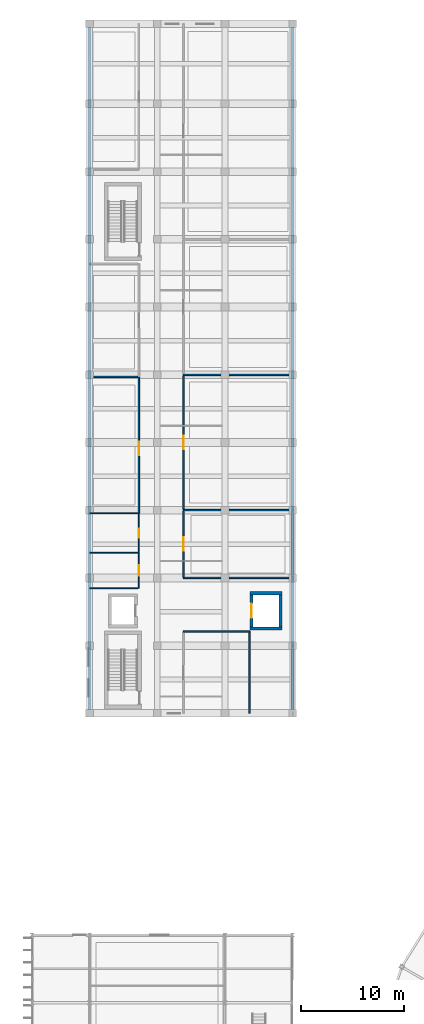
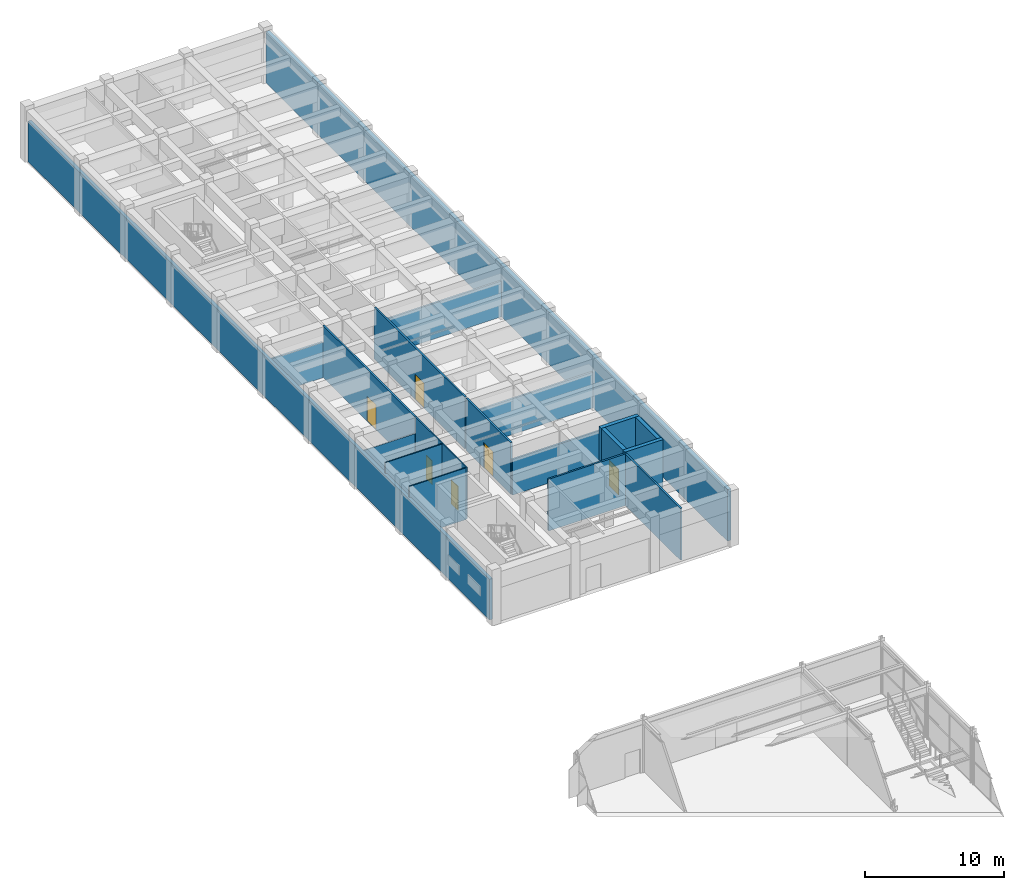
# One storey, part 127 of 144: 20 walls, 6 doors, 6 openings.
"""IFC4 building model written with IfcOpenShell, lengths in metres."""

import ifcopenshell
import ifcopenshell.guid

model = None  # the IFC model being written
_history = None  # IfcOwnerHistory: only IFC2X3 demands one
_inside = {}  # id of a spatial element -> (the spatial element, [elements in it])
_under = {}  # id of a project, library or spatial element -> (it, [spatial elements below it])
_declared = {}  # id of a project -> (the project, [libraries it declares])
_typed = {}  # id of a type object -> (the type object, [elements of that type])
_made_of = {}  # id of a material, layer set ... -> (it, [elements and type objects made of it])


def new_model(schema):
    """Start an empty IFC model of exactly this schema.

    Asked for "IFC4X3", IfcOpenShell would pick the latest addendum, in which some entities
    have other attributes; the version numbers below select the first issue.
    IFC2X3 requires an IfcOwnerHistory on every rooted entity: one is made here for all.
    """
    global model, _history
    if schema == "IFC4X3":
        model = ifcopenshell.file(schema_version=(4, 3, 0, 0))
    else:
        model = ifcopenshell.file(schema=schema)
    _inside.clear()
    _under.clear()
    _declared.clear()
    _typed.clear()
    _made_of.clear()
    _history = None
    if model.schema == "IFC2X3":
        org = make("IfcOrganization", Name="unknown")
        user = make(
            "IfcPersonAndOrganization",
            ThePerson=make("IfcPerson", FamilyName="unknown"),
            TheOrganization=org,
        )
        app = make(
            "IfcApplication",
            ApplicationDeveloper=org,
            Version="unknown",
            ApplicationFullName="unknown",
            ApplicationIdentifier="unknown",
        )
        _history = make(
            "IfcOwnerHistory",
            OwningUser=user,
            OwningApplication=app,
            ChangeAction="ADDED",
            CreationDate=0,
        )
    return model


def make(cls, **values):
    """One entity of the class cls with the attributes given. An attribute that is None is left unset."""
    return model.create_entity(
        cls, **{name: value for name, value in values.items() if value is not None}
    )


def rooted(cls, **values):
    """An entity with a GlobalId (a new one), such as an element, a storey or a relation."""
    return make(cls, GlobalId=ifcopenshell.guid.new(), OwnerHistory=_history, **values)


def si_unit(unit_type, name, prefix=None):
    """IfcSIUnit, for example si_unit("LENGTHUNIT", "METRE", prefix="MILLI")."""
    return make("IfcSIUnit", UnitType=unit_type, Prefix=prefix, Name=name)


def assignment(units):
    """IfcUnitAssignment: the units of a project."""
    return None if units is None else make("IfcUnitAssignment", Units=units)


def point(xyz):
    """IfcCartesianPoint."""
    return None if xyz is None else make("IfcCartesianPoint", Coordinates=xyz)


def direction(xyz):
    """IfcDirection."""
    return None if xyz is None else make("IfcDirection", DirectionRatios=xyz)


def frame(location, z_axis=None, x_axis=None):
    """IfcAxis2Placement3D, a coordinate frame: its origin and axes. An axis left out is left unset."""
    return make(
        "IfcAxis2Placement3D",
        Location=point(location),
        Axis=direction(z_axis),
        RefDirection=direction(x_axis),
    )


def frame_2d(location, x_axis=None):
    """IfcAxis2Placement2D, a coordinate frame in the plane: its origin and x axis."""
    return make(
        "IfcAxis2Placement2D", Location=point(location), RefDirection=direction(x_axis)
    )


def origin():
    """The frame at (0, 0, 0) with its axes left unset."""
    return frame((0.0, 0.0, 0.0))


def place(relative_to, where):
    """IfcLocalPlacement: puts the frame where relative to a parent placement (None: the world)."""
    return make(
        "IfcLocalPlacement", PlacementRelTo=relative_to, RelativePlacement=where
    )


def context(
    kind, dimensions, precision=None, world=None, true_north=None, identifier=None
):
    """IfcGeometricRepresentationContext, for example the 3D "Model" context."""
    return make(
        "IfcGeometricRepresentationContext",
        ContextIdentifier=identifier,
        ContextType=kind,
        CoordinateSpaceDimension=dimensions,
        Precision=precision,
        WorldCoordinateSystem=world,
        TrueNorth=true_north,
    )


def subcontext(parent, identifier, kind, view, scale=None):
    """IfcGeometricRepresentationSubContext, for example "Body" below "Model"."""
    return make(
        "IfcGeometricRepresentationSubContext",
        ContextIdentifier=identifier,
        ContextType=kind,
        ParentContext=parent,
        TargetScale=scale,
        TargetView=view,
    )


def project(units=None, contexts=None):
    """IfcProject with its units and contexts."""
    return rooted(
        "IfcProject",
        Name="project",
        RepresentationContexts=contexts,
        UnitsInContext=assignment(units),
    )


def spatial(cls, under=None, at=None, **own):
    """A site, building, storey or space (cls), placed at a placement, below another one or the project."""
    s = rooted(cls, ObjectPlacement=at, **own)
    if under is not None:
        _under.setdefault(under.id(), (under, []))[1].append(s)
    return s


def profile(cls, at=None, kind="AREA", **sizes):
    """A parametric profile (cls). Its sizes go by their IFC names, for example OverallWidth=200.0."""
    return make(cls, ProfileType=kind, Position=at, **sizes)


def rectangle(**sizes):
    """IfcRectangleProfileDef."""
    return profile("IfcRectangleProfileDef", **sizes)


def extrude(swept, where, along, depth):
    """IfcExtrudedAreaSolid: the profile swept, set in the frame where, extruded along a direction by depth."""
    return make(
        "IfcExtrudedAreaSolid",
        SweptArea=swept,
        Position=where,
        ExtrudedDirection=direction(along),
        Depth=depth,
    )


def shape(context_of_items, identifier, shape_type, items):
    """IfcShapeRepresentation: the items that make up one representation, for example the "Body"."""
    return make(
        "IfcShapeRepresentation",
        ContextOfItems=context_of_items,
        RepresentationIdentifier=identifier,
        RepresentationType=shape_type,
        Items=items,
    )


def material(Name=None, Category=None):
    """IfcMaterial."""
    return make("IfcMaterial", Name=Name, Category=Category)


def layer(
    of_material, thickness, ventilated=None, Name=None, Category=None, Priority=None
):
    """IfcMaterialLayer: one layer of a wall or slab, of a material (None: an air gap)."""
    return make(
        "IfcMaterialLayer",
        Material=of_material,
        LayerThickness=thickness,
        IsVentilated=ventilated,
        Name=Name,
        Category=Category,
        Priority=Priority,
    )


def layer_set(layers, Name=None):
    """IfcMaterialLayerSet."""
    return make("IfcMaterialLayerSet", MaterialLayers=layers, LayerSetName=Name)


def made_of(thing, what):
    """Note that an element or type object is made of a material, layer set ...; save() writes the relation."""
    if what is not None:
        _made_of.setdefault(what.id(), (what, []))[1].append(thing)
    return thing


def type_object(cls, material=None, **own):
    """A type object (cls), such as IfcWallType, which elements share."""
    return made_of(rooted(cls, **own), material)


def element(
    cls,
    number,
    at=None,
    inside=None,
    cuts=None,
    type_object=None,
    material=None,
    context=None,
    identifier="Body",
    shape_type=None,
    held_by="IfcProductDefinitionShape",
    body=None,
    shapes=None,
    **own,
):
    """One element of the class cls, such as IfcWall. Its Tag is "e" and its number.

    at: its placement. inside: the storey or other place that contains it. cuts: it is an
    opening in that element (IfcRelVoidsElement). A single representation is given by context,
    identifier, shape_type and body (its items); several are given by shapes. held_by: the class
    of the entity that holds the representations. save() writes the other relations.
    """
    e = rooted(cls, Tag="e%d" % number, ObjectPlacement=at, **own)
    if body is not None:
        shapes = [shape(context, identifier, shape_type, body)]
    if shapes is not None:
        e.Representation = make(held_by, Representations=shapes)
    if inside is not None:
        _inside.setdefault(inside.id(), (inside, []))[1].append(e)
    if cuts is not None:
        rooted(
            "IfcRelVoidsElement", RelatingBuildingElement=cuts, RelatedOpeningElement=e
        )
    if type_object is not None:
        _typed.setdefault(type_object.id(), (type_object, []))[1].append(e)
    return made_of(e, material)


def fill(opening, filler):
    """IfcRelFillsElement: the door or window that sits in an opening."""
    return rooted(
        "IfcRelFillsElement",
        RelatingOpeningElement=opening,
        RelatedBuildingElement=filler,
    )


def aggregate(whole, parts):
    """IfcRelAggregates: a whole, such as a stair, and the parts it consists of."""
    return rooted("IfcRelAggregates", RelatingObject=whole, RelatedObjects=parts)


def save(model, path):
    """Write the relations noted so far, then the file.

    IfcRelAggregates (storeys below a building ...), IfcRelContainedInSpatialStructure (elements
    in a storey), IfcRelDefinesByType, IfcRelAssociatesMaterial and IfcRelDeclares: one each for
    every whole, place, type object, material and project.
    """
    for whole, parts in _under.values():
        aggregate(whole, parts)
    for where, things in _inside.values():
        rooted(
            "IfcRelContainedInSpatialStructure",
            RelatedElements=things,
            RelatingStructure=where,
        )
    for kind, things in _typed.values():
        rooted("IfcRelDefinesByType", RelatedObjects=things, RelatingType=kind)
    for what, things in _made_of.values():
        rooted("IfcRelAssociatesMaterial", RelatedObjects=things, RelatingMaterial=what)
    for by, libraries in _declared.values():
        rooted("IfcRelDeclares", RelatingContext=by, RelatedDefinitions=libraries)
    model.write(path)


model = new_model("IFC4")

# Units and contexts
model_context = context("Model", 3, precision=1e-05, world=origin(), true_north=direction((0.0, 1.0)))
body_context = subcontext(model_context, "Body", "Model", "MODEL_VIEW")
ifc_project = project(units=[si_unit("LENGTHUNIT", "METRE"), si_unit("AREAUNIT", "SQUARE_METRE"), si_unit("VOLUMEUNIT", "CUBIC_METRE"), si_unit("PLANEANGLEUNIT", "RADIAN"), si_unit("MASSUNIT", "GRAM", prefix="KILO")], contexts=[model_context])

# Site, building, storey
site_placement = place(None, origin())
site = spatial("IfcSite", under=ifc_project, at=site_placement, CompositionType="ELEMENT")
building_placement = place(site_placement, origin())
building = spatial("IfcBuilding", under=site, at=building_placement, Name="Karori Crest Natural Sciences Institute", CompositionType="ELEMENT")
storey_placement = place(building_placement, origin())
storey = spatial("IfcBuildingStorey", under=building, at=storey_placement, Name="L00", CompositionType="ELEMENT", Elevation=0.0)

# Walls
ifc_material_1 = material(Name="Concrete 50 MPa", Category="concrete")
ifc_layer_1 = layer(ifc_material_1, 0.320068359375, Name="Concrete 50 MPa")
ifc_layer_set_1 = layer_set([ifc_layer_1], Name="Concrete 50 MPa")
wall_type_1 = type_object("IfcWallType", Name="IWT-03", PredefinedType="SHEAR", material=ifc_layer_set_1)
for number, where, z_axis, x_axis, name in (
    (1, (23.02001953125, 103.280029296875, 0.0), (0.0, 0.0, 1.0), (1.0, 0.0, 0.0), "Shear wall IW-0523"),
    (2, (23.02001953125, 106.719970703125, 0.0), (0.0, 0.0, 1.0), (1.0, 0.0, 0.0), "Shear wall IW-0524"),
):
    element("IfcWall", number, at=place(storey_placement, frame(where, z_axis=z_axis, x_axis=x_axis)), inside=storey, type_object=wall_type_1, Name=name, PredefinedType="SHEAR", context=body_context, shape_type="SweptSolid", body=[
        extrude(rectangle(XDim=3.159912109375, YDim=0.320068359375, at=frame_2d((1.580078125, 0.0))), origin(), (0.0, 0.0, 1.0), 4.550048828125),
    ])

# Wall, opening, door
wall_1_placement = place(storey_placement, frame((23.179931640625, 103.44189453125, 0.0), z_axis=(0.0, 0.0, 1.0), x_axis=(0.0, 1.0, 0.0)))
wall_1 = element("IfcWall", 3, at=wall_1_placement, inside=storey, type_object=wall_type_1, Name="Shear wall IW-0525", PredefinedType="SHEAR", context=body_context, shape_type="SweptSolid", body=[
    extrude(rectangle(XDim=3.1162109375, YDim=0.320068359375, at=frame_2d((1.55810546875, 0.0))), origin(), (0.0, 0.0, 1.0), 4.550048828125),
])
opening_1_placement = place(wall_1_placement, frame((0.85791015625, 0.0, 0.0)))
opening_1 = element("IfcOpeningElement", 4, at=opening_1_placement, cuts=wall_1, Name="Opening LD-0057", PredefinedType="OPENING", context=body_context, shape_type="SweptSolid", body=[
    extrude(rectangle(XDim=1.39990234375, YDim=2.25, at=frame_2d((0.699951171875, 1.125))), frame((0.0, 0.169921875, 0.0), z_axis=(0.0, -1.0, 0.0), x_axis=(1.0, 0.0, 0.0)), (0.0, 0.0, 1.0), 0.340087890625),
])
ifc_material_2 = material(Name="Stainless steel 316 and fire-rated timber", Category="steel")
door_type_1 = type_object("IfcDoorType", Name="LDT-03", OperationType="DOUBLE_DOOR_SLIDING", PredefinedType="DOOR", material=ifc_material_2)
door_1_placement = place(opening_1_placement, origin())
door_1 = element("IfcDoor", 5, at=door_1_placement, inside=storey, type_object=door_type_1, Name="Lift LG-01 landing door LD-0057", OperationType="DOUBLE_DOOR_SLIDING", OverallHeight=2.25, OverallWidth=1.39990234375, PredefinedType="DOOR", context=body_context, shape_type="SweptSolid", body=[
    extrude(rectangle(XDim=1.39990234375, YDim=2.25, at=frame_2d((0.699951171875, 1.125))), frame((0.0, 0.02490234375, 0.0), z_axis=(0.0, -1.0, 0.0), x_axis=(1.0, 0.0, 0.0)), (0.0, 0.0, 1.0), 0.050048828125),
])
fill(opening_1, door_1)

# Walls
wall_2_placement = place(storey_placement, frame((26.02001953125, 103.44189453125, 0.0), z_axis=(0.0, 0.0, 1.0), x_axis=(0.0, 1.0, 0.0)))
element("IfcWall", 6, at=wall_2_placement, inside=storey, type_object=wall_type_1, Name="Shear wall IW-0526", PredefinedType="SHEAR", context=body_context, shape_type="SweptSolid", body=[
    extrude(rectangle(XDim=3.1162109375, YDim=0.320068359375, at=frame_2d((1.55810546875, 0.0))), origin(), (0.0, 0.0, 1.0), 4.550048828125),
])
ifc_material_3 = material(Name="Clean-room insulated fire partition")
ifc_layer_2 = layer(ifc_material_3, 0.14990234375, Name="Clean-room insulated fire partition")
ifc_layer_set_2 = layer_set([ifc_layer_2], Name="Clean-room insulated fire partition")
wall_type_2 = type_object("IfcWallType", Name="IWT-06", PredefinedType="PARTITIONING", material=ifc_layer_set_2)
wall_3_placement = place(storey_placement, frame((7.39990234375, 127.800048828125, 0.0), z_axis=(0.0, 0.0, 1.0), x_axis=(1.0, 0.0, 0.0)))
element("IfcWall", 7, at=wall_3_placement, inside=storey, type_object=wall_type_2, Name="Partition wall IW-0919", PredefinedType="PARTITIONING", context=body_context, shape_type="SweptSolid", body=[
    extrude(rectangle(XDim=4.697998046875, YDim=0.14990234375, at=frame_2d((2.34912109375, 0.0))), origin(), (0.0, 0.0, 1.0), 3.135009765625),
])

# Wall, opening, door
wall_4_placement = place(storey_placement, frame((12.199951171875, 114.501953125, 0.0), z_axis=(0.0, 0.0, 1.0), x_axis=(0.0, 1.0, 0.0)))
wall_4 = element("IfcWall", 8, at=wall_4_placement, inside=storey, type_object=wall_type_2, Name="Partition wall IW-0920", PredefinedType="PARTITIONING", context=body_context, shape_type="SweptSolid", body=[
    extrude(rectangle(XDim=13.298095703125, YDim=0.14990234375, at=frame_2d((6.64892578125, 0.0))), origin(), (0.0, 0.0, 1.0), 4.550048828125),
])
opening_2_placement = place(wall_4_placement, frame((5.64892578125, 0.0, 0.0)))
opening_2 = element("IfcOpeningElement", 9, at=opening_2_placement, cuts=wall_4, Name="Opening ID-0234", PredefinedType="OPENING", context=body_context, shape_type="SweptSolid", body=[
    extrude(rectangle(XDim=1.300048828125, YDim=2.199951171875, at=frame_2d((0.64990234375, 1.10009765625))), frame((0.0, 0.0849609375, 0.0), z_axis=(0.0, -1.0, 0.0), x_axis=(1.0, 0.0, 0.0)), (0.0, 0.0, 1.0), 0.169921875),
])
door_type_2 = type_object("IfcDoorType", Name="IDT-04", OperationType="NOTDEFINED", PredefinedType="DOOR", material=ifc_material_2)
door_2_placement = place(opening_2_placement, origin())
door_2 = element("IfcDoor", 10, at=door_2_placement, inside=storey, type_object=door_type_2, Name="Clean-Room Gowning Airlock Suite door ID-0234", OperationType="SINGLE_SWING_RIGHT", OverallHeight=2.199951171875, OverallWidth=1.300048828125, PredefinedType="DOOR", context=body_context, shape_type="SweptSolid", body=[
    extrude(rectangle(XDim=1.300048828125, YDim=2.199951171875, at=frame_2d((0.64990234375, 1.10009765625))), frame((0.0, 0.02490234375, 0.0), z_axis=(0.0, -1.0, 0.0), x_axis=(1.0, 0.0, 0.0)), (0.0, 0.0, 1.0), 0.050048828125),
])
fill(opening_2, door_2)

# Walls
wall_5_placement = place(storey_placement, frame((16.550048828125, 103.0, 0.0), z_axis=(0.0, 0.0, 1.0), x_axis=(1.0, 0.0, 0.0)))
element("IfcWall", 11, at=wall_5_placement, inside=storey, type_object=wall_type_2, Name="Partition wall IW-0925", PredefinedType="PARTITIONING", context=body_context, shape_type="SweptSolid", body=[
    extrude(rectangle(XDim=6.449951171875, YDim=0.14990234375, at=frame_2d((3.22509765625, 0.0))), origin(), (0.0, 0.0, 1.0), 4.550048828125),
])
wall_6_placement = place(storey_placement, frame((23.0, 95.0, 0.0), z_axis=(0.0, 0.0, 1.0), x_axis=(0.0, 1.0, 0.0)))
element("IfcWall", 12, at=wall_6_placement, inside=storey, type_object=wall_type_2, Name="Partition wall IW-0927", PredefinedType="PARTITIONING", context=body_context, shape_type="SweptSolid", body=[
    extrude(rectangle(XDim=8.0, YDim=0.14990234375, at=frame_2d((4.0, 0.0))), origin(), (0.0, 0.0, 1.0), 4.550048828125),
])
for number, where, z_axis, x_axis, name in (
    (13, (16.550048828125, 108.199951171875, 0.0), (0.0, 0.0, 1.0), (1.0, 0.0, 0.0), "Partition wall IW-0928"),
    (14, (16.550048828125, 114.800048828125, 0.0), (0.0, 0.0, 1.0), (1.0, 0.0, 0.0), "Partition wall IW-0929"),
):
    element("IfcWall", number, at=place(storey_placement, frame(where, z_axis=z_axis, x_axis=x_axis)), inside=storey, type_object=wall_type_2, Name=name, PredefinedType="PARTITIONING", context=body_context, shape_type="SweptSolid", body=[
        extrude(rectangle(XDim=10.508056640625, YDim=0.14990234375, at=frame_2d((5.25390625, 0.0))), origin(), (0.0, 0.0, 1.0), 3.135009765625),
    ])

# Wall, opening, door
wall_7_placement = place(storey_placement, frame((16.550048828125, 108.277099609375, 0.0), z_axis=(0.0, 0.0, 1.0), x_axis=(0.0, 1.0, 0.0)))
wall_7 = element("IfcWall", 15, at=wall_7_placement, inside=storey, type_object=wall_type_2, Name="Partition wall IW-0930", PredefinedType="PARTITIONING", context=body_context, shape_type="SweptSolid", body=[
    extrude(rectangle(XDim=6.44580078125, YDim=0.14990234375, at=frame_2d((3.222900390625, 0.0))), origin(), (0.0, 0.0, 1.0), 4.550048828125),
])
opening_3_placement = place(wall_7_placement, frame((2.572998046875, 0.0, 0.0)))
opening_3 = element("IfcOpeningElement", 16, at=opening_3_placement, cuts=wall_7, Name="Opening ID-0238", PredefinedType="OPENING", context=body_context, shape_type="SweptSolid", body=[
    extrude(rectangle(XDim=1.300048828125, YDim=2.199951171875, at=frame_2d((0.64990234375, 1.10009765625))), frame((0.0, 0.0849609375, 0.0), z_axis=(0.0, -1.0, 0.0), x_axis=(1.0, 0.0, 0.0)), (0.0, 0.0, 1.0), 0.169921875),
])
door_3_placement = place(opening_3_placement, origin())
door_3 = element("IfcDoor", 17, at=door_3_placement, inside=storey, type_object=door_type_2, Name="ISO Class 7 Bio-MEMS Clean Room door ID-0238", OperationType="SINGLE_SWING_RIGHT", OverallHeight=2.199951171875, OverallWidth=1.300048828125, PredefinedType="DOOR", context=body_context, shape_type="SweptSolid", body=[
    extrude(rectangle(XDim=1.300048828125, YDim=2.199951171875, at=frame_2d((0.64990234375, 1.10009765625))), frame((0.0, 0.02490234375, 0.0), z_axis=(0.0, -1.0, 0.0), x_axis=(1.0, 0.0, 0.0)), (0.0, 0.0, 1.0), 0.050048828125),
])
fill(opening_3, door_3)

# Wall
wall_8_placement = place(storey_placement, frame((16.550048828125, 128.0, 0.0), z_axis=(0.0, 0.0, 1.0), x_axis=(1.0, 0.0, 0.0)))
element("IfcWall", 18, at=wall_8_placement, inside=storey, type_object=wall_type_2, Name="Partition wall IW-0931", PredefinedType="PARTITIONING", context=body_context, shape_type="SweptSolid", body=[
    extrude(rectangle(XDim=10.508056640625, YDim=0.14990234375, at=frame_2d((5.25390625, 0.0))), origin(), (0.0, 0.0, 1.0), 3.135009765625),
])

# Wall, opening, door
wall_9_placement = place(storey_placement, frame((16.550048828125, 114.876953125, 0.0), z_axis=(0.0, 0.0, 1.0), x_axis=(0.0, 1.0, 0.0)))
wall_9 = element("IfcWall", 19, at=wall_9_placement, inside=storey, type_object=wall_type_2, Name="Partition wall IW-0932", PredefinedType="PARTITIONING", context=body_context, shape_type="SweptSolid", body=[
    extrude(rectangle(XDim=13.046142578125, YDim=0.14990234375, at=frame_2d((6.52294921875, 0.0))), origin(), (0.0, 0.0, 1.0), 4.550048828125),
])
opening_4_placement = place(wall_9_placement, frame((5.873046875, 0.0, 0.0)))
opening_4 = element("IfcOpeningElement", 20, at=opening_4_placement, cuts=wall_9, Name="Opening ID-0239", PredefinedType="OPENING", context=body_context, shape_type="SweptSolid", body=[
    extrude(rectangle(XDim=1.300048828125, YDim=2.199951171875, at=frame_2d((0.64990234375, 1.10009765625))), frame((0.0, 0.0849609375, 0.0), z_axis=(0.0, -1.0, 0.0), x_axis=(1.0, 0.0, 0.0)), (0.0, 0.0, 1.0), 0.169921875),
])
door_4_placement = place(opening_4_placement, origin())
door_4 = element("IfcDoor", 21, at=door_4_placement, inside=storey, type_object=door_type_2, Name="Laser Interferometry Metrology Suite door ID-0239", OperationType="SINGLE_SWING_LEFT", OverallHeight=2.199951171875, OverallWidth=1.300048828125, PredefinedType="DOOR", context=body_context, shape_type="SweptSolid", body=[
    extrude(rectangle(XDim=1.300048828125, YDim=2.199951171875, at=frame_2d((0.64990234375, 1.10009765625))), frame((0.0, 0.02490234375, 0.0), z_axis=(0.0, -1.0, 0.0), x_axis=(1.0, 0.0, 0.0)), (0.0, 0.0, 1.0), 0.050048828125),
])
fill(opening_4, door_4)

# Walls
ifc_material_4 = material(Name="Washroom moisture-resistant partition")
ifc_layer_3 = layer(ifc_material_4, 0.10009765625, Name="Washroom moisture-resistant partition")
ifc_layer_set_3 = layer_set([ifc_layer_3], Name="Washroom moisture-resistant partition")
wall_type_3 = type_object("IfcWallType", Name="IWT-09", PredefinedType="PARTITIONING", material=ifc_layer_set_3)
for number, where, z_axis, x_axis, name in (
    (22, (7.39990234375, 107.199951171875, 0.0), (0.0, 0.0, 1.0), (1.0, 0.0, 0.0), "Partition wall IW-0914"),
    (23, (7.39990234375, 110.64990234375, 0.0), (0.0, 0.0, 1.0), (1.0, 0.0, 0.0), "Partition wall IW-0915"),
):
    element("IfcWall", number, at=place(storey_placement, frame(where, z_axis=z_axis, x_axis=x_axis)), inside=storey, type_object=wall_type_3, Name=name, PredefinedType="PARTITIONING", context=body_context, shape_type="SweptSolid", body=[
        extrude(rectangle(XDim=4.697998046875, YDim=0.10009765625, at=frame_2d((2.34912109375, 0.0))), origin(), (0.0, 0.0, 1.0), 4.550048828125),
    ])

# Wall, opening, door
wall_10_placement = place(storey_placement, frame((12.199951171875, 107.199951171875, 0.0), z_axis=(0.0, 0.0, 1.0), x_axis=(0.0, 1.0, 0.0)))
wall_10 = element("IfcWall", 24, at=wall_10_placement, inside=storey, type_object=wall_type_3, Name="Partition wall IW-0916", PredefinedType="PARTITIONING", context=body_context, shape_type="SweptSolid", body=[
    extrude(rectangle(XDim=3.449951171875, YDim=0.10009765625, at=frame_2d((1.72509765625, 0.0))), origin(), (0.0, 0.0, 1.0), 4.550048828125),
])
opening_5_placement = place(wall_10_placement, frame((1.22509765625, 0.0, 0.0)))
opening_5 = element("IfcOpeningElement", 25, at=opening_5_placement, cuts=wall_10, Name="Opening ID-0232", PredefinedType="OPENING", context=body_context, shape_type="SweptSolid", body=[
    extrude(rectangle(XDim=1.0, YDim=2.10009765625, at=frame_2d((0.5, 1.050048828125))), frame((0.0, 0.06005859375, 0.0), z_axis=(0.0, -1.0, 0.0), x_axis=(1.0, 0.0, 0.0)), (0.0, 0.0, 1.0), 0.1201171875),
])
ifc_material_5 = material(Name="Anodised aluminium and acoustic timber", Category="wood")
door_type_3 = type_object("IfcDoorType", Name="IDT-09", OperationType="NOTDEFINED", PredefinedType="DOOR", material=ifc_material_5)
door_5_placement = place(opening_5_placement, origin())
door_5 = element("IfcDoor", 26, at=door_5_placement, inside=storey, type_object=door_type_3, Name="Accessible WC door ID-0232", OperationType="SINGLE_SWING_RIGHT", OverallHeight=2.10009765625, OverallWidth=1.0, PredefinedType="DOOR", context=body_context, shape_type="SweptSolid", body=[
    extrude(rectangle(XDim=1.0, YDim=2.10009765625, at=frame_2d((0.5, 1.050048828125))), frame((0.0, 0.02490234375, 0.0), z_axis=(0.0, -1.0, 0.0), x_axis=(1.0, 0.0, 0.0)), (0.0, 0.0, 1.0), 0.050048828125),
])
fill(opening_5, door_5)

# Wall
wall_11_placement = place(storey_placement, frame((7.39990234375, 114.5, 0.0), z_axis=(0.0, 0.0, 1.0), x_axis=(1.0, 0.0, 0.0)))
element("IfcWall", 27, at=wall_11_placement, inside=storey, type_object=wall_type_3, Name="Partition wall IW-0917", PredefinedType="PARTITIONING", context=body_context, shape_type="SweptSolid", body=[
    extrude(rectangle(XDim=4.697998046875, YDim=0.10009765625, at=frame_2d((2.34912109375, 0.0))), origin(), (0.0, 0.0, 1.0), 3.135009765625),
])

# Wall, opening, door
wall_12_placement = place(storey_placement, frame((12.199951171875, 110.652099609375, 0.0), z_axis=(0.0, 0.0, 1.0), x_axis=(0.0, 1.0, 0.0)))
wall_12 = element("IfcWall", 28, at=wall_12_placement, inside=storey, type_object=wall_type_3, Name="Partition wall IW-0918", PredefinedType="PARTITIONING", context=body_context, shape_type="SweptSolid", body=[
    extrude(rectangle(XDim=3.847900390625, YDim=0.10009765625, at=frame_2d((1.923828125, 0.0))), origin(), (0.0, 0.0, 1.0), 4.550048828125),
])
opening_6_placement = place(wall_12_placement, frame((1.48388671875, 0.0, 0.0)))
opening_6 = element("IfcOpeningElement", 29, at=opening_6_placement, cuts=wall_12, Name="Opening ID-0233", PredefinedType="OPENING", context=body_context, shape_type="SweptSolid", body=[
    extrude(rectangle(XDim=0.8798828125, YDim=2.080078125, at=frame_2d((0.43994140625, 1.0400390625))), frame((0.0, 0.06005859375, 0.0), z_axis=(0.0, -1.0, 0.0), x_axis=(1.0, 0.0, 0.0)), (0.0, 0.0, 1.0), 0.1201171875),
])
door_type_4 = type_object("IfcDoorType", Name="IDT-10", OperationType="NOTDEFINED", PredefinedType="DOOR", material=ifc_material_5)
door_6_placement = place(opening_6_placement, origin())
door_6 = element("IfcDoor", 30, at=door_6_placement, inside=storey, type_object=door_type_4, Name="Unisex Washroom WC door ID-0233", OperationType="SINGLE_SWING_LEFT", OverallHeight=2.080078125, OverallWidth=0.8798828125, PredefinedType="DOOR", context=body_context, shape_type="SweptSolid", body=[
    extrude(rectangle(XDim=0.8798828125, YDim=2.080078125, at=frame_2d((0.43994140625, 1.0400390625))), frame((0.0, 0.02490234375, 0.0), z_axis=(0.0, -1.0, 0.0), x_axis=(1.0, 0.0, 0.0)), (0.0, 0.0, 1.0), 0.050048828125),
])
fill(opening_6, door_6)

# Walls
ifc_material_6 = material(Name="Precast concrete 40 MPa", Category="concrete")
ifc_layer_4 = layer(ifc_material_6, 0.300048828125, Name="Precast concrete 40 MPa")
ifc_layer_set_4 = layer_set([ifc_layer_4], Name="Precast concrete 40 MPa")
wall_type_4 = type_object("IfcWallType", Name="WT-01", PredefinedType="SOLIDWALL", material=ifc_layer_set_4)
wall_13_placement = place(storey_placement, frame((27.199951171875, 161.826904296875, 0.0), z_axis=(0.0, 0.0, 1.0), x_axis=(0.0, -1.0, 0.0)))
element("IfcWall", 31, at=wall_13_placement, inside=storey, type_object=wall_type_4, Name="Exterior wall EW-0157", PredefinedType="SOLIDWALL", context=body_context, shape_type="SweptSolid", body=[
    extrude(rectangle(XDim=66.453857421875, YDim=0.300048828125, at=frame_2d((33.22705078125, 0.0))), origin(), (0.0, 0.0, 1.0), 4.5400390625),
])
ifc_layer_5 = layer(ifc_material_6, 0.260009765625, Name="Precast concrete 40 MPa")
ifc_layer_set_5 = layer_set([ifc_layer_5], Name="Precast concrete 40 MPa")
wall_type_5 = type_object("IfcWallType", Name="WT-03", PredefinedType="SOLIDWALL", material=ifc_layer_set_5)
wall_14_placement = place(storey_placement, frame((7.39990234375, 95.373046875, 0.0), z_axis=(0.0, 0.0, 1.0), x_axis=(0.0, 1.0, 0.0)))
element("IfcWall", 32, at=wall_14_placement, inside=storey, type_object=wall_type_5, Name="Exterior wall EW-0158", PredefinedType="SOLIDWALL", context=body_context, shape_type="SweptSolid", body=[
    extrude(rectangle(XDim=66.453857421875, YDim=0.260009765625, at=frame_2d((33.22705078125, 0.0))), origin(), (0.0, 0.0, 1.0), 3.5849609375),
])

save(model, "model.ifc")
